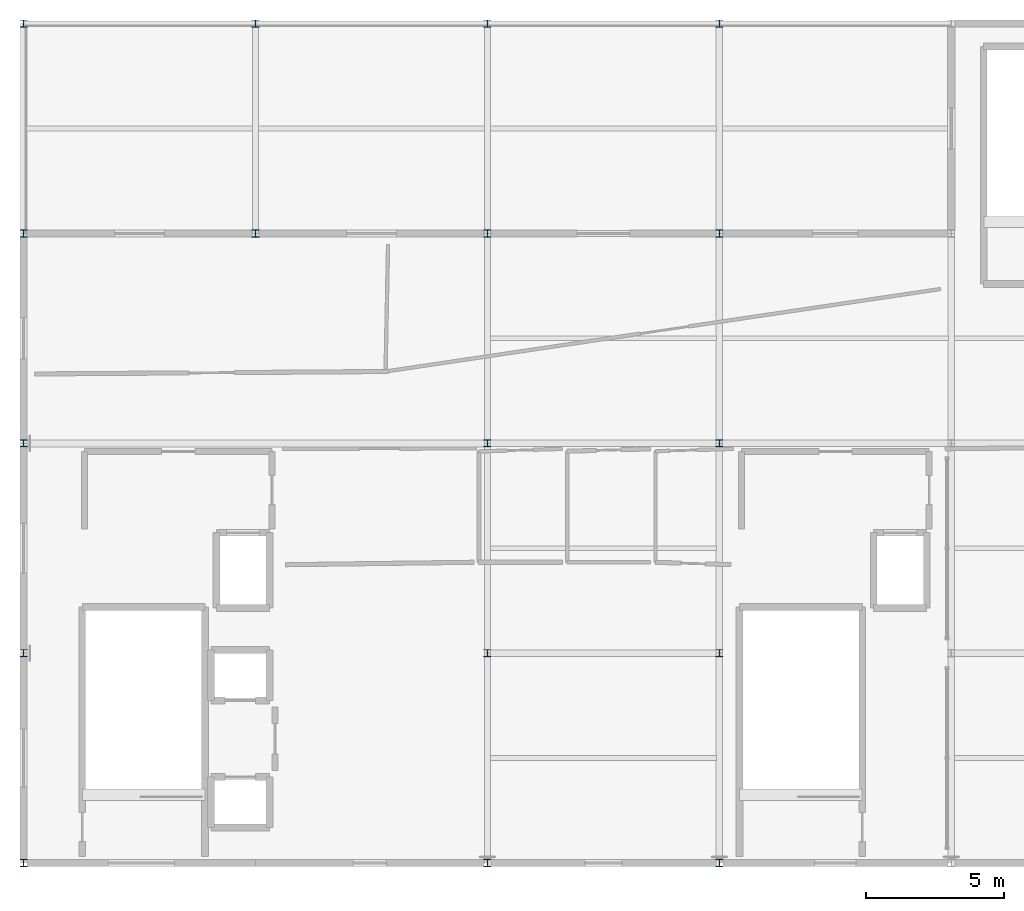
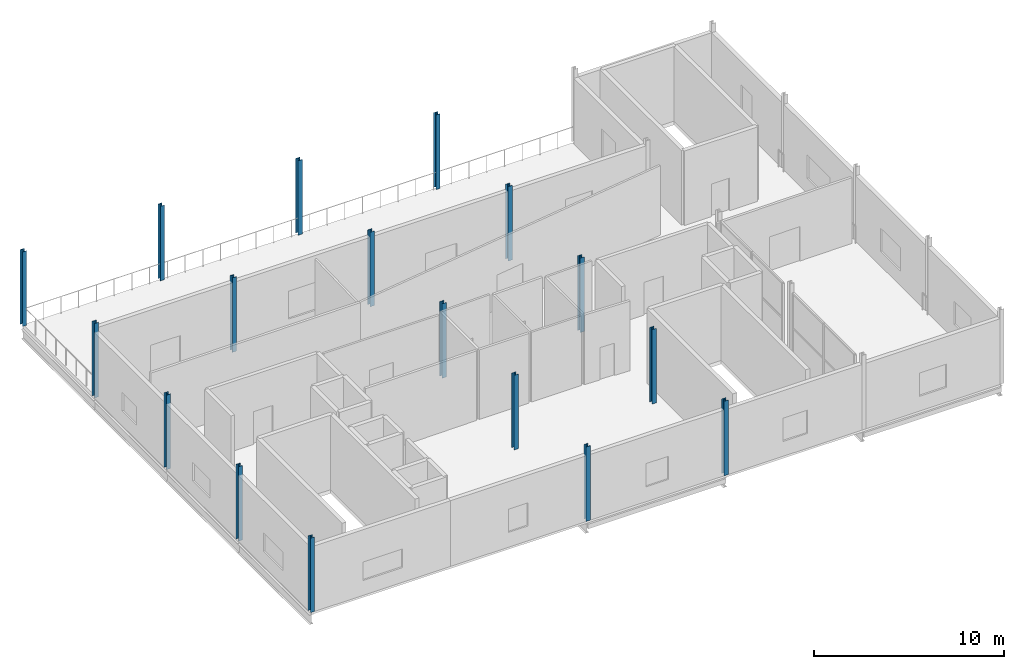
# One storey, part 1 of 8: 17 columns.
"""IFC4 building model written with IfcOpenShell, lengths in metres."""

import ifcopenshell
import ifcopenshell.guid

model = None  # the IFC model being written
_history = None  # IfcOwnerHistory: only IFC2X3 demands one
_inside = {}  # id of a spatial element -> (the spatial element, [elements in it])
_under = {}  # id of a project, library or spatial element -> (it, [spatial elements below it])
_declared = {}  # id of a project -> (the project, [libraries it declares])
_typed = {}  # id of a type object -> (the type object, [elements of that type])
_made_of = {}  # id of a material, layer set ... -> (it, [elements and type objects made of it])


def new_model(schema):
    """Start an empty IFC model of exactly this schema.

    Asked for "IFC4X3", IfcOpenShell would pick the latest addendum, in which some entities
    have other attributes; the version numbers below select the first issue.
    IFC2X3 requires an IfcOwnerHistory on every rooted entity: one is made here for all.
    """
    global model, _history
    if schema == "IFC4X3":
        model = ifcopenshell.file(schema_version=(4, 3, 0, 0))
    else:
        model = ifcopenshell.file(schema=schema)
    _inside.clear()
    _under.clear()
    _declared.clear()
    _typed.clear()
    _made_of.clear()
    _history = None
    if model.schema == "IFC2X3":
        org = make("IfcOrganization", Name="unknown")
        user = make(
            "IfcPersonAndOrganization",
            ThePerson=make("IfcPerson", FamilyName="unknown"),
            TheOrganization=org,
        )
        app = make(
            "IfcApplication",
            ApplicationDeveloper=org,
            Version="unknown",
            ApplicationFullName="unknown",
            ApplicationIdentifier="unknown",
        )
        _history = make(
            "IfcOwnerHistory",
            OwningUser=user,
            OwningApplication=app,
            ChangeAction="ADDED",
            CreationDate=0,
        )
    return model


def make(cls, **values):
    """One entity of the class cls with the attributes given. An attribute that is None is left unset."""
    return model.create_entity(
        cls, **{name: value for name, value in values.items() if value is not None}
    )


def rooted(cls, **values):
    """An entity with a GlobalId (a new one), such as an element, a storey or a relation."""
    return make(cls, GlobalId=ifcopenshell.guid.new(), OwnerHistory=_history, **values)


def si_unit(unit_type, name, prefix=None):
    """IfcSIUnit, for example si_unit("LENGTHUNIT", "METRE", prefix="MILLI")."""
    return make("IfcSIUnit", UnitType=unit_type, Prefix=prefix, Name=name)


def assignment(units):
    """IfcUnitAssignment: the units of a project."""
    return None if units is None else make("IfcUnitAssignment", Units=units)


def point(xyz):
    """IfcCartesianPoint."""
    return None if xyz is None else make("IfcCartesianPoint", Coordinates=xyz)


def direction(xyz):
    """IfcDirection."""
    return None if xyz is None else make("IfcDirection", DirectionRatios=xyz)


def frame(location, z_axis=None, x_axis=None):
    """IfcAxis2Placement3D, a coordinate frame: its origin and axes. An axis left out is left unset."""
    return make(
        "IfcAxis2Placement3D",
        Location=point(location),
        Axis=direction(z_axis),
        RefDirection=direction(x_axis),
    )


def frame_2d(location, x_axis=None):
    """IfcAxis2Placement2D, a coordinate frame in the plane: its origin and x axis."""
    return make(
        "IfcAxis2Placement2D", Location=point(location), RefDirection=direction(x_axis)
    )


def origin():
    """The frame at (0, 0, 0) with its axes left unset."""
    return frame((0.0, 0.0, 0.0))


def origin_2d():
    """The frame at (0, 0) in the plane with its x axis left unset."""
    return frame_2d((0.0, 0.0))


def place(relative_to, where):
    """IfcLocalPlacement: puts the frame where relative to a parent placement (None: the world)."""
    return make(
        "IfcLocalPlacement", PlacementRelTo=relative_to, RelativePlacement=where
    )


def context(
    kind, dimensions, precision=None, world=None, true_north=None, identifier=None
):
    """IfcGeometricRepresentationContext, for example the 3D "Model" context."""
    return make(
        "IfcGeometricRepresentationContext",
        ContextIdentifier=identifier,
        ContextType=kind,
        CoordinateSpaceDimension=dimensions,
        Precision=precision,
        WorldCoordinateSystem=world,
        TrueNorth=true_north,
    )


def subcontext(parent, identifier, kind, view, scale=None):
    """IfcGeometricRepresentationSubContext, for example "Body" below "Model"."""
    return make(
        "IfcGeometricRepresentationSubContext",
        ContextIdentifier=identifier,
        ContextType=kind,
        ParentContext=parent,
        TargetScale=scale,
        TargetView=view,
    )


def project(units=None, contexts=None):
    """IfcProject with its units and contexts."""
    return rooted(
        "IfcProject",
        Name="project",
        RepresentationContexts=contexts,
        UnitsInContext=assignment(units),
    )


def spatial(cls, under=None, at=None, **own):
    """A site, building, storey or space (cls), placed at a placement, below another one or the project."""
    s = rooted(cls, ObjectPlacement=at, **own)
    if under is not None:
        _under.setdefault(under.id(), (under, []))[1].append(s)
    return s


def profile(cls, at=None, kind="AREA", **sizes):
    """A parametric profile (cls). Its sizes go by their IFC names, for example OverallWidth=200.0."""
    return make(cls, ProfileType=kind, Position=at, **sizes)


def i_section(**sizes):
    """IfcIShapeProfileDef."""
    return profile("IfcIShapeProfileDef", **sizes)


def extrude(swept, where, along, depth):
    """IfcExtrudedAreaSolid: the profile swept, set in the frame where, extruded along a direction by depth."""
    return make(
        "IfcExtrudedAreaSolid",
        SweptArea=swept,
        Position=where,
        ExtrudedDirection=direction(along),
        Depth=depth,
    )


def shape(context_of_items, identifier, shape_type, items):
    """IfcShapeRepresentation: the items that make up one representation, for example the "Body"."""
    return make(
        "IfcShapeRepresentation",
        ContextOfItems=context_of_items,
        RepresentationIdentifier=identifier,
        RepresentationType=shape_type,
        Items=items,
    )


def material(Name=None, Category=None):
    """IfcMaterial."""
    return make("IfcMaterial", Name=Name, Category=Category)


def material_profile(
    of_material, cross_section, Name=None, Category=None, Priority=None
):
    """IfcMaterialProfile: a cross section and its material."""
    return make(
        "IfcMaterialProfile",
        Name=Name,
        Material=of_material,
        Profile=cross_section,
        Priority=Priority,
        Category=Category,
    )


def profile_set(profiles, Name=None, composite=None):
    """IfcMaterialProfileSet."""
    return make(
        "IfcMaterialProfileSet",
        Name=Name,
        MaterialProfiles=profiles,
        CompositeProfile=composite,
    )


def made_of(thing, what):
    """Note that an element or type object is made of a material, layer set ...; save() writes the relation."""
    if what is not None:
        _made_of.setdefault(what.id(), (what, []))[1].append(thing)
    return thing


def type_object(cls, material=None, **own):
    """A type object (cls), such as IfcWallType, which elements share."""
    return made_of(rooted(cls, **own), material)


def element(
    cls,
    number,
    at=None,
    inside=None,
    cuts=None,
    type_object=None,
    material=None,
    context=None,
    identifier="Body",
    shape_type=None,
    held_by="IfcProductDefinitionShape",
    body=None,
    shapes=None,
    **own,
):
    """One element of the class cls, such as IfcWall. Its Tag is "e" and its number.

    at: its placement. inside: the storey or other place that contains it. cuts: it is an
    opening in that element (IfcRelVoidsElement). A single representation is given by context,
    identifier, shape_type and body (its items); several are given by shapes. held_by: the class
    of the entity that holds the representations. save() writes the other relations.
    """
    e = rooted(cls, Tag="e%d" % number, ObjectPlacement=at, **own)
    if body is not None:
        shapes = [shape(context, identifier, shape_type, body)]
    if shapes is not None:
        e.Representation = make(held_by, Representations=shapes)
    if inside is not None:
        _inside.setdefault(inside.id(), (inside, []))[1].append(e)
    if cuts is not None:
        rooted(
            "IfcRelVoidsElement", RelatingBuildingElement=cuts, RelatedOpeningElement=e
        )
    if type_object is not None:
        _typed.setdefault(type_object.id(), (type_object, []))[1].append(e)
    return made_of(e, material)


def aggregate(whole, parts):
    """IfcRelAggregates: a whole, such as a stair, and the parts it consists of."""
    return rooted("IfcRelAggregates", RelatingObject=whole, RelatedObjects=parts)


def save(model, path):
    """Write the relations noted so far, then the file.

    IfcRelAggregates (storeys below a building ...), IfcRelContainedInSpatialStructure (elements
    in a storey), IfcRelDefinesByType, IfcRelAssociatesMaterial and IfcRelDeclares: one each for
    every whole, place, type object, material and project.
    """
    for whole, parts in _under.values():
        aggregate(whole, parts)
    for where, things in _inside.values():
        rooted(
            "IfcRelContainedInSpatialStructure",
            RelatedElements=things,
            RelatingStructure=where,
        )
    for kind, things in _typed.values():
        rooted("IfcRelDefinesByType", RelatedObjects=things, RelatingType=kind)
    for what, things in _made_of.values():
        rooted("IfcRelAssociatesMaterial", RelatedObjects=things, RelatingMaterial=what)
    for by, libraries in _declared.values():
        rooted("IfcRelDeclares", RelatingContext=by, RelatedDefinitions=libraries)
    model.write(path)


model = new_model("IFC4")

# Units and contexts
model_context = context("Model", 3, precision=1e-05, world=origin(), true_north=direction((0.0, 1.0)))
body_context = subcontext(model_context, "Body", "Model", "MODEL_VIEW")
ifc_project = project(units=[si_unit("LENGTHUNIT", "METRE"), si_unit("AREAUNIT", "SQUARE_METRE"), si_unit("VOLUMEUNIT", "CUBIC_METRE"), si_unit("PLANEANGLEUNIT", "RADIAN"), si_unit("MASSUNIT", "GRAM", prefix="KILO")], contexts=[model_context])

# Site, building, storey
site_placement = place(None, origin())
site = spatial("IfcSite", under=ifc_project, at=site_placement, CompositionType="ELEMENT")
building_placement = place(site_placement, origin())
building = spatial("IfcBuilding", under=site, at=building_placement, Name="Zuvorla Pavilion Media Centre", CompositionType="ELEMENT")
storey_placement = place(building_placement, frame((0.0, 0.0, 26.39990234375)))
storey = spatial("IfcBuildingStorey", under=building, at=storey_placement, Name="L06", CompositionType="ELEMENT", Elevation=26.39990234375)

# Columns
ifc_material = material(Name="Steel S355", Category="steel")
ifc_material_profile = material_profile(ifc_material, i_section(OverallWidth=0.25634765625, OverallDepth=0.26025390625, WebThickness=0.01025390625, FlangeThickness=0.017333984375, FilletRadius=0.0126953125, at=origin_2d()), Name="UC 254x254x89")
ifc_profile_set = profile_set([ifc_material_profile], Name="Steel S355")
column_type = type_object("IfcColumnType", Name="COL-UC254", PredefinedType="COLUMN", material=ifc_profile_set)
for number, where, z_axis, x_axis, name in (
    (1, (66.800048828125, 6.0, 0.0), (0.0, 0.0, 1.0), (1.0, 0.0, 0.0), "L06 column C11 32"),
    (2, (83.60009765625, 6.0, 0.0), (0.0, 0.0, 1.0), (1.0, 0.0, 0.0), "L06 column C11 40"),
    (3, (92.0, 6.0, 0.0), (0.0, 0.0, 1.0), (1.0, 0.0, 0.0), "L06 column C11 48"),
    (4, (66.800048828125, 13.60009765625, 0.0), (0.0, 0.0, 1.0), (1.0, 0.0, 0.0), "L06 column C11 130"),
    (5, (83.60009765625, 13.60009765625, 0.0), (0.0, 0.0, 1.0), (1.0, 0.0, 0.0), "L06 column C11 138"),
    (6, (92.0, 13.60009765625, 0.0), (0.0, 0.0, 1.0), (1.0, 0.0, 0.0), "L06 column C11 146"),
    (7, (66.800048828125, 21.199951171875, 0.0), (0.0, 0.0, 1.0), (1.0, 0.0, 0.0), "L06 column C11 231"),
    (8, (83.60009765625, 21.199951171875, 0.0), (0.0, 0.0, 1.0), (1.0, 0.0, 0.0), "L06 column C11 239"),
    (9, (92.0, 21.199951171875, 0.0), (0.0, 0.0, 1.0), (1.0, 0.0, 0.0), "L06 column C11 247"),
    (10, (66.800048828125, 28.800048828125, 0.0), (0.0, 0.0, 1.0), (1.0, 0.0, 0.0), "L06 column C11 318"),
    (11, (75.199951171875, 28.800048828125, 0.0), (0.0, 0.0, 1.0), (1.0, 0.0, 0.0), "L06 column C11 326"),
    (12, (83.60009765625, 28.800048828125, 0.0), (0.0, 0.0, 1.0), (1.0, 0.0, 0.0), "L06 column C11 334"),
    (13, (92.0, 28.800048828125, 0.0), (0.0, 0.0, 1.0), (1.0, 0.0, 0.0), "L06 column C11 342"),
    (14, (66.800048828125, 36.39990234375, 0.0), (0.0, 0.0, 1.0), (1.0, 0.0, 0.0), "L06 column C11 408"),
    (15, (75.199951171875, 36.39990234375, 0.0), (0.0, 0.0, 1.0), (1.0, 0.0, 0.0), "L06 column C11 416"),
    (16, (83.60009765625, 36.39990234375, 0.0), (0.0, 0.0, 1.0), (1.0, 0.0, 0.0), "L06 column C11 424"),
    (17, (92.0, 36.39990234375, 0.0), (0.0, 0.0, 1.0), (1.0, 0.0, 0.0), "L06 column C11 432"),
):
    element("IfcColumn", number, at=place(storey_placement, frame(where, z_axis=z_axis, x_axis=x_axis)), inside=storey, type_object=column_type, Name=name, PredefinedType="COLUMN", context=body_context, shape_type="SweptSolid", body=[
        extrude(i_section(OverallWidth=0.25634765625, OverallDepth=0.26025390625, WebThickness=0.01025390625, FlangeThickness=0.017333984375, FilletRadius=0.0126953125, at=origin_2d()), origin(), (0.0, 0.0, 1.0), 4.800048828125),
    ])

save(model, "model.ifc")
